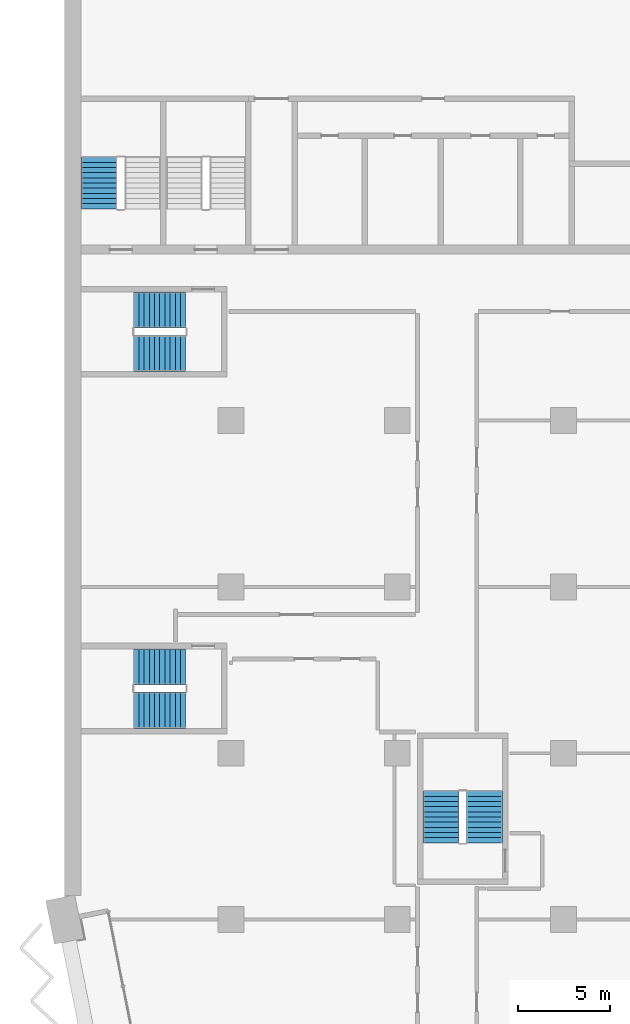
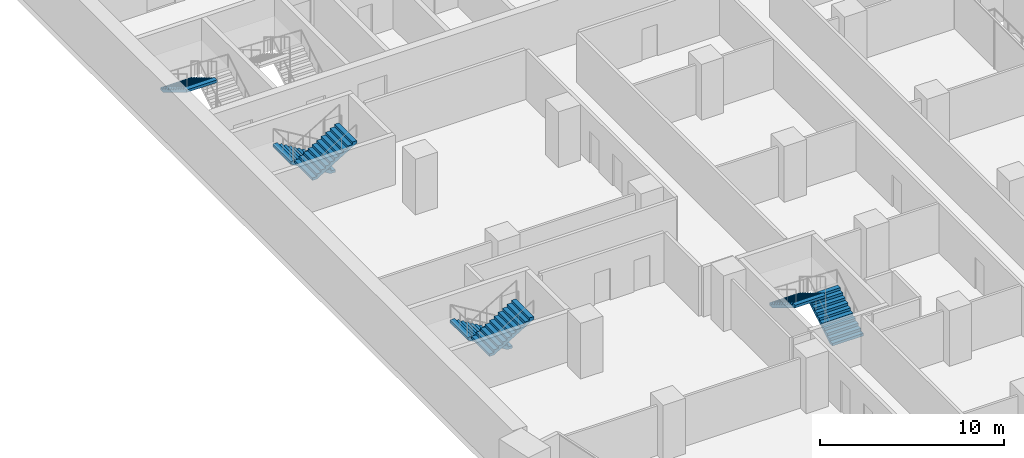
# One storey, part 20 of 29: 7 stair flights, 4 elements without a shape of their own.
"""IFC4 building model written with IfcOpenShell, lengths in metres."""

import ifcopenshell
import ifcopenshell.guid

model = None  # the IFC model being written
_history = None  # IfcOwnerHistory: only IFC2X3 demands one
_inside = {}  # id of a spatial element -> (the spatial element, [elements in it])
_under = {}  # id of a project, library or spatial element -> (it, [spatial elements below it])
_declared = {}  # id of a project -> (the project, [libraries it declares])
_typed = {}  # id of a type object -> (the type object, [elements of that type])
_made_of = {}  # id of a material, layer set ... -> (it, [elements and type objects made of it])


def new_model(schema):
    """Start an empty IFC model of exactly this schema.

    Asked for "IFC4X3", IfcOpenShell would pick the latest addendum, in which some entities
    have other attributes; the version numbers below select the first issue.
    IFC2X3 requires an IfcOwnerHistory on every rooted entity: one is made here for all.
    """
    global model, _history
    if schema == "IFC4X3":
        model = ifcopenshell.file(schema_version=(4, 3, 0, 0))
    else:
        model = ifcopenshell.file(schema=schema)
    _inside.clear()
    _under.clear()
    _declared.clear()
    _typed.clear()
    _made_of.clear()
    _history = None
    if model.schema == "IFC2X3":
        org = make("IfcOrganization", Name="unknown")
        user = make(
            "IfcPersonAndOrganization",
            ThePerson=make("IfcPerson", FamilyName="unknown"),
            TheOrganization=org,
        )
        app = make(
            "IfcApplication",
            ApplicationDeveloper=org,
            Version="unknown",
            ApplicationFullName="unknown",
            ApplicationIdentifier="unknown",
        )
        _history = make(
            "IfcOwnerHistory",
            OwningUser=user,
            OwningApplication=app,
            ChangeAction="ADDED",
            CreationDate=0,
        )
    return model


def make(cls, **values):
    """One entity of the class cls with the attributes given. An attribute that is None is left unset."""
    return model.create_entity(
        cls, **{name: value for name, value in values.items() if value is not None}
    )


def rooted(cls, **values):
    """An entity with a GlobalId (a new one), such as an element, a storey or a relation."""
    return make(cls, GlobalId=ifcopenshell.guid.new(), OwnerHistory=_history, **values)


def si_unit(unit_type, name, prefix=None):
    """IfcSIUnit, for example si_unit("LENGTHUNIT", "METRE", prefix="MILLI")."""
    return make("IfcSIUnit", UnitType=unit_type, Prefix=prefix, Name=name)


def assignment(units):
    """IfcUnitAssignment: the units of a project."""
    return None if units is None else make("IfcUnitAssignment", Units=units)


def point(xyz):
    """IfcCartesianPoint."""
    return None if xyz is None else make("IfcCartesianPoint", Coordinates=xyz)


def direction(xyz):
    """IfcDirection."""
    return None if xyz is None else make("IfcDirection", DirectionRatios=xyz)


def frame(location, z_axis=None, x_axis=None):
    """IfcAxis2Placement3D, a coordinate frame: its origin and axes. An axis left out is left unset."""
    return make(
        "IfcAxis2Placement3D",
        Location=point(location),
        Axis=direction(z_axis),
        RefDirection=direction(x_axis),
    )


def origin():
    """The frame at (0, 0, 0) with its axes left unset."""
    return frame((0.0, 0.0, 0.0))


def place(relative_to, where):
    """IfcLocalPlacement: puts the frame where relative to a parent placement (None: the world)."""
    return make(
        "IfcLocalPlacement", PlacementRelTo=relative_to, RelativePlacement=where
    )


def context(
    kind, dimensions, precision=None, world=None, true_north=None, identifier=None
):
    """IfcGeometricRepresentationContext, for example the 3D "Model" context."""
    return make(
        "IfcGeometricRepresentationContext",
        ContextIdentifier=identifier,
        ContextType=kind,
        CoordinateSpaceDimension=dimensions,
        Precision=precision,
        WorldCoordinateSystem=world,
        TrueNorth=true_north,
    )


def subcontext(parent, identifier, kind, view, scale=None):
    """IfcGeometricRepresentationSubContext, for example "Body" below "Model"."""
    return make(
        "IfcGeometricRepresentationSubContext",
        ContextIdentifier=identifier,
        ContextType=kind,
        ParentContext=parent,
        TargetScale=scale,
        TargetView=view,
    )


def project(units=None, contexts=None):
    """IfcProject with its units and contexts."""
    return rooted(
        "IfcProject",
        Name="project",
        RepresentationContexts=contexts,
        UnitsInContext=assignment(units),
    )


def spatial(cls, under=None, at=None, **own):
    """A site, building, storey or space (cls), placed at a placement, below another one or the project."""
    s = rooted(cls, ObjectPlacement=at, **own)
    if under is not None:
        _under.setdefault(under.id(), (under, []))[1].append(s)
    return s


def polyline(points):
    """IfcPolyline through the points."""
    return make("IfcPolyline", Points=[point(p) for p in points])


def outline(outer, holes=None, kind="AREA"):
    """IfcArbitraryClosedProfileDef: a profile drawn as a closed curve; with holes, ...WithVoids."""
    if holes is None:
        return make("IfcArbitraryClosedProfileDef", ProfileType=kind, OuterCurve=outer)
    return make(
        "IfcArbitraryProfileDefWithVoids",
        ProfileType=kind,
        OuterCurve=outer,
        InnerCurves=holes,
    )


def extrude(swept, where, along, depth):
    """IfcExtrudedAreaSolid: the profile swept, set in the frame where, extruded along a direction by depth."""
    return make(
        "IfcExtrudedAreaSolid",
        SweptArea=swept,
        Position=where,
        ExtrudedDirection=direction(along),
        Depth=depth,
    )


def shape(context_of_items, identifier, shape_type, items):
    """IfcShapeRepresentation: the items that make up one representation, for example the "Body"."""
    return make(
        "IfcShapeRepresentation",
        ContextOfItems=context_of_items,
        RepresentationIdentifier=identifier,
        RepresentationType=shape_type,
        Items=items,
    )


def material(Name=None, Category=None):
    """IfcMaterial."""
    return make("IfcMaterial", Name=Name, Category=Category)


def made_of(thing, what):
    """Note that an element or type object is made of a material, layer set ...; save() writes the relation."""
    if what is not None:
        _made_of.setdefault(what.id(), (what, []))[1].append(thing)
    return thing


def type_object(cls, material=None, **own):
    """A type object (cls), such as IfcWallType, which elements share."""
    return made_of(rooted(cls, **own), material)


def element(
    cls,
    number,
    at=None,
    inside=None,
    cuts=None,
    type_object=None,
    material=None,
    context=None,
    identifier="Body",
    shape_type=None,
    held_by="IfcProductDefinitionShape",
    body=None,
    shapes=None,
    **own,
):
    """One element of the class cls, such as IfcWall. Its Tag is "e" and its number.

    at: its placement. inside: the storey or other place that contains it. cuts: it is an
    opening in that element (IfcRelVoidsElement). A single representation is given by context,
    identifier, shape_type and body (its items); several are given by shapes. held_by: the class
    of the entity that holds the representations. save() writes the other relations.
    """
    e = rooted(cls, Tag="e%d" % number, ObjectPlacement=at, **own)
    if body is not None:
        shapes = [shape(context, identifier, shape_type, body)]
    if shapes is not None:
        e.Representation = make(held_by, Representations=shapes)
    if inside is not None:
        _inside.setdefault(inside.id(), (inside, []))[1].append(e)
    if cuts is not None:
        rooted(
            "IfcRelVoidsElement", RelatingBuildingElement=cuts, RelatedOpeningElement=e
        )
    if type_object is not None:
        _typed.setdefault(type_object.id(), (type_object, []))[1].append(e)
    return made_of(e, material)


def aggregate(whole, parts):
    """IfcRelAggregates: a whole, such as a stair, and the parts it consists of."""
    return rooted("IfcRelAggregates", RelatingObject=whole, RelatedObjects=parts)


def save(model, path):
    """Write the relations noted so far, then the file.

    IfcRelAggregates (storeys below a building ...), IfcRelContainedInSpatialStructure (elements
    in a storey), IfcRelDefinesByType, IfcRelAssociatesMaterial and IfcRelDeclares: one each for
    every whole, place, type object, material and project.
    """
    for whole, parts in _under.values():
        aggregate(whole, parts)
    for where, things in _inside.values():
        rooted(
            "IfcRelContainedInSpatialStructure",
            RelatedElements=things,
            RelatingStructure=where,
        )
    for kind, things in _typed.values():
        rooted("IfcRelDefinesByType", RelatedObjects=things, RelatingType=kind)
    for what, things in _made_of.values():
        rooted("IfcRelAssociatesMaterial", RelatedObjects=things, RelatingMaterial=what)
    for by, libraries in _declared.values():
        rooted("IfcRelDeclares", RelatingContext=by, RelatedDefinitions=libraries)
    model.write(path)


model = new_model("IFC4")

# Units and contexts
model_context = context("Model", 3, precision=1e-05, world=origin(), true_north=direction((0.0, 1.0)))
body_context = subcontext(model_context, "Body", "Model", "MODEL_VIEW")
ifc_project = project(units=[si_unit("LENGTHUNIT", "METRE"), si_unit("AREAUNIT", "SQUARE_METRE"), si_unit("VOLUMEUNIT", "CUBIC_METRE"), si_unit("PLANEANGLEUNIT", "RADIAN"), si_unit("MASSUNIT", "GRAM", prefix="KILO")], contexts=[model_context])

# Site, building, storey
site_placement = place(None, origin())
site = spatial("IfcSite", under=ifc_project, at=site_placement, CompositionType="ELEMENT")
building_placement = place(site_placement, origin())
building = spatial("IfcBuilding", under=site, at=building_placement, Name="Hunhe Ridgeline Campus", CompositionType="ELEMENT")
storey_placement = place(building_placement, frame((0.0, 0.0, 46.89990234375)))
storey = spatial("IfcBuildingStorey", under=building, at=storey_placement, Name="L10", CompositionType="ELEMENT", Elevation=46.89990234375)

# Stair, stair flight
ifc_material = material(Name="Concrete C40", Category="concrete")
stair_type = type_object("IfcStairType", Name="Reinforced concrete dog-leg stair 1950 Concrete C40", PredefinedType="HALF_TURN_STAIR", material=ifc_material)
stair_1_placement = place(storey_placement, origin())
stair_1 = element("IfcStair", 1, at=stair_1_placement, inside=storey, type_object=stair_type, Name="L10 S3", PredefinedType="HALF_TURN_STAIR")
stair_flight_type = type_object("IfcStairFlightType", Name="Reinforced concrete stair flight 1950 Concrete C40", PredefinedType="STRAIGHT", material=ifc_material)
stair_flight_1_placement = place(storey_placement, frame((1.875, 68.25, 1.85009765625), z_axis=(0.0, 0.0, 1.0), x_axis=(0.0, -1.0, 0.0)))
stair_flight_1 = element("IfcStairFlight", 2, at=stair_flight_1_placement, type_object=stair_flight_type, Name="ST3 flight 2", NumberOfRisers=11, NumberOfTreads=10, PredefinedType="STRAIGHT", RiserHeight=0.168181818, TreadLength=0.28, context=body_context, shape_type="SweptSolid", body=[
    extrude(outline(polyline([(0.0, 0.0), (0.0, 0.168212890625), (0.280029296875, 0.168212890625), (0.280029296875, 0.33642578125), (0.56005859375, 0.33642578125), (0.56005859375, 0.504638671875), (0.840087890625, 0.504638671875), (0.840087890625, 0.672607421875), (1.1201171875, 0.672607421875), (1.1201171875, 0.8408203125), (1.39990234375, 0.8408203125), (1.39990234375, 1.009033203125), (1.679931640625, 1.009033203125), (1.679931640625, 1.17724609375), (1.9599609375, 1.17724609375), (1.9599609375, 1.345458984375), (2.239990234375, 1.345458984375), (2.239990234375, 1.513671875), (2.52001953125, 1.513671875), (2.52001953125, 1.681884765625), (2.800048828125, 1.681884765625), (2.800048828125, 1.85009765625), (2.800048828125, 1.5068359375), (0.291015625, 0.0), (0.0, 0.0)])), frame((0.0, 0.97509765625, 0.0), z_axis=(0.0, -1.0, 0.0), x_axis=(1.0, 0.0, 0.0)), (0.0, 0.0, 1.0), 1.949951171875),
    extrude(outline(polyline([(0.030029296875, 0.030029296875), (0.030029296875, 0.13818359375), (0.31005859375, 0.13818359375), (0.31005859375, 0.306396484375), (0.590087890625, 0.306396484375), (0.590087890625, 0.474609375), (0.8701171875, 0.474609375), (0.8701171875, 0.642578125), (1.14990234375, 0.642578125), (1.14990234375, 0.810791015625), (1.429931640625, 0.810791015625), (1.429931640625, 0.97900390625), (1.7099609375, 0.97900390625), (1.7099609375, 1.147216796875), (1.989990234375, 1.147216796875), (1.989990234375, 1.3154296875), (2.27001953125, 1.3154296875), (2.27001953125, 1.483642578125), (2.550048828125, 1.483642578125), (2.550048828125, 1.65185546875), (2.77001953125, 1.65185546875), (2.77001953125, 1.52392578125), (0.28271484375, 0.030029296875), (0.030029296875, 0.030029296875)])), frame((0.0, -0.070068359375, 0.0), z_axis=(0.0, -1.0, 0.0), x_axis=(1.0, 0.0, 0.0)), (0.0, 0.0, 1.0), 0.019775390625),
    extrude(outline(polyline([(0.030029296875, 0.030029296875), (0.030029296875, 0.13818359375), (0.31005859375, 0.13818359375), (0.31005859375, 0.306396484375), (0.590087890625, 0.306396484375), (0.590087890625, 0.474609375), (0.8701171875, 0.474609375), (0.8701171875, 0.642578125), (1.14990234375, 0.642578125), (1.14990234375, 0.810791015625), (1.429931640625, 0.810791015625), (1.429931640625, 0.97900390625), (1.7099609375, 0.97900390625), (1.7099609375, 1.147216796875), (1.989990234375, 1.147216796875), (1.989990234375, 1.3154296875), (2.27001953125, 1.3154296875), (2.27001953125, 1.483642578125), (2.550048828125, 1.483642578125), (2.550048828125, 1.65185546875), (2.77001953125, 1.65185546875), (2.77001953125, 1.52392578125), (0.28271484375, 0.030029296875), (0.030029296875, 0.030029296875)])), frame((0.0, 0.010009765625, 0.0), z_axis=(0.0, -1.0, 0.0), x_axis=(1.0, 0.0, 0.0)), (0.0, 0.0, 1.0), 0.019775390625),
    extrude(outline(polyline([(0.030029296875, 0.030029296875), (0.030029296875, 0.13818359375), (0.31005859375, 0.13818359375), (0.31005859375, 0.306396484375), (0.590087890625, 0.306396484375), (0.590087890625, 0.474609375), (0.8701171875, 0.474609375), (0.8701171875, 0.642578125), (1.14990234375, 0.642578125), (1.14990234375, 0.810791015625), (1.429931640625, 0.810791015625), (1.429931640625, 0.97900390625), (1.7099609375, 0.97900390625), (1.7099609375, 1.147216796875), (1.989990234375, 1.147216796875), (1.989990234375, 1.3154296875), (2.27001953125, 1.3154296875), (2.27001953125, 1.483642578125), (2.550048828125, 1.483642578125), (2.550048828125, 1.65185546875), (2.77001953125, 1.65185546875), (2.77001953125, 1.52392578125), (0.28271484375, 0.030029296875), (0.030029296875, 0.030029296875)])), frame((0.0, 0.090087890625, 0.0), z_axis=(0.0, -1.0, 0.0), x_axis=(1.0, 0.0, 0.0)), (0.0, 0.0, 1.0), 0.019775390625),
])
aggregate(stair_1, [stair_flight_1])

# Stair, stair flights
stair_2_placement = place(storey_placement, origin())
stair_2 = element("IfcStair", 3, at=stair_2_placement, inside=storey, type_object=stair_type, Name="L10 W3", PredefinedType="HALF_TURN_STAIR")
stair_flight_2_placement = place(storey_placement, frame((22.72509765625, 31.14990234375, 0.0), z_axis=(0.0, 0.0, 1.0), x_axis=(0.0, 1.0, 0.0)))
stair_flight_2 = element("IfcStairFlight", 4, at=stair_flight_2_placement, type_object=stair_flight_type, Name="ST9 flight 1", NumberOfRisers=11, NumberOfTreads=10, PredefinedType="STRAIGHT", RiserHeight=0.168181818, TreadLength=0.28, context=body_context, shape_type="SweptSolid", body=[
    extrude(outline(polyline([(0.0, 0.0), (0.0, 0.168212890625), (0.280029296875, 0.168212890625), (0.280029296875, 0.33642578125), (0.56005859375, 0.33642578125), (0.56005859375, 0.504638671875), (0.840087890625, 0.504638671875), (0.840087890625, 0.672607421875), (1.1201171875, 0.672607421875), (1.1201171875, 0.8408203125), (1.39990234375, 0.8408203125), (1.39990234375, 1.009033203125), (1.679931640625, 1.009033203125), (1.679931640625, 1.17724609375), (1.9599609375, 1.17724609375), (1.9599609375, 1.345458984375), (2.239990234375, 1.345458984375), (2.239990234375, 1.513671875), (2.52001953125, 1.513671875), (2.52001953125, 1.681884765625), (2.800048828125, 1.681884765625), (2.800048828125, 1.85009765625), (2.800048828125, 1.5068359375), (0.291015625, 0.0), (0.0, 0.0)])), frame((0.0, 0.97509765625, 0.0), z_axis=(0.0, -1.0, 0.0), x_axis=(1.0, 0.0, 0.0)), (0.0, 0.0, 1.0), 1.949951171875),
    extrude(outline(polyline([(0.030029296875, 0.030029296875), (0.030029296875, 0.13818359375), (0.31005859375, 0.13818359375), (0.31005859375, 0.306396484375), (0.590087890625, 0.306396484375), (0.590087890625, 0.474609375), (0.8701171875, 0.474609375), (0.8701171875, 0.642578125), (1.14990234375, 0.642578125), (1.14990234375, 0.810791015625), (1.429931640625, 0.810791015625), (1.429931640625, 0.97900390625), (1.7099609375, 0.97900390625), (1.7099609375, 1.147216796875), (1.989990234375, 1.147216796875), (1.989990234375, 1.3154296875), (2.27001953125, 1.3154296875), (2.27001953125, 1.483642578125), (2.550048828125, 1.483642578125), (2.550048828125, 1.65185546875), (2.77001953125, 1.65185546875), (2.77001953125, 1.52392578125), (0.28271484375, 0.030029296875), (0.030029296875, 0.030029296875)])), frame((0.0, -0.070068359375, 0.0), z_axis=(0.0, -1.0, 0.0), x_axis=(1.0, 0.0, 0.0)), (0.0, 0.0, 1.0), 0.019775390625),
    extrude(outline(polyline([(0.030029296875, 0.030029296875), (0.030029296875, 0.13818359375), (0.31005859375, 0.13818359375), (0.31005859375, 0.306396484375), (0.590087890625, 0.306396484375), (0.590087890625, 0.474609375), (0.8701171875, 0.474609375), (0.8701171875, 0.642578125), (1.14990234375, 0.642578125), (1.14990234375, 0.810791015625), (1.429931640625, 0.810791015625), (1.429931640625, 0.97900390625), (1.7099609375, 0.97900390625), (1.7099609375, 1.147216796875), (1.989990234375, 1.147216796875), (1.989990234375, 1.3154296875), (2.27001953125, 1.3154296875), (2.27001953125, 1.483642578125), (2.550048828125, 1.483642578125), (2.550048828125, 1.65185546875), (2.77001953125, 1.65185546875), (2.77001953125, 1.52392578125), (0.28271484375, 0.030029296875), (0.030029296875, 0.030029296875)])), frame((0.0, 0.010009765625, 0.0), z_axis=(0.0, -1.0, 0.0), x_axis=(1.0, 0.0, 0.0)), (0.0, 0.0, 1.0), 0.019775390625),
    extrude(outline(polyline([(0.030029296875, 0.030029296875), (0.030029296875, 0.13818359375), (0.31005859375, 0.13818359375), (0.31005859375, 0.306396484375), (0.590087890625, 0.306396484375), (0.590087890625, 0.474609375), (0.8701171875, 0.474609375), (0.8701171875, 0.642578125), (1.14990234375, 0.642578125), (1.14990234375, 0.810791015625), (1.429931640625, 0.810791015625), (1.429931640625, 0.97900390625), (1.7099609375, 0.97900390625), (1.7099609375, 1.147216796875), (1.989990234375, 1.147216796875), (1.989990234375, 1.3154296875), (2.27001953125, 1.3154296875), (2.27001953125, 1.483642578125), (2.550048828125, 1.483642578125), (2.550048828125, 1.65185546875), (2.77001953125, 1.65185546875), (2.77001953125, 1.52392578125), (0.28271484375, 0.030029296875), (0.030029296875, 0.030029296875)])), frame((0.0, 0.090087890625, 0.0), z_axis=(0.0, -1.0, 0.0), x_axis=(1.0, 0.0, 0.0)), (0.0, 0.0, 1.0), 0.019775390625),
])
stair_flight_3_placement = place(storey_placement, frame((20.375, 33.949951171875, 1.85009765625), z_axis=(0.0, 0.0, 1.0), x_axis=(0.0, -1.0, 0.0)))
stair_flight_3 = element("IfcStairFlight", 5, at=stair_flight_3_placement, type_object=stair_flight_type, Name="ST9 flight 2", NumberOfRisers=11, NumberOfTreads=10, PredefinedType="STRAIGHT", RiserHeight=0.168181818, TreadLength=0.28, context=body_context, shape_type="SweptSolid", body=[
    extrude(outline(polyline([(0.0, 0.0), (0.0, 0.168212890625), (0.280029296875, 0.168212890625), (0.280029296875, 0.33642578125), (0.56005859375, 0.33642578125), (0.56005859375, 0.504638671875), (0.840087890625, 0.504638671875), (0.840087890625, 0.672607421875), (1.1201171875, 0.672607421875), (1.1201171875, 0.8408203125), (1.39990234375, 0.8408203125), (1.39990234375, 1.009033203125), (1.679931640625, 1.009033203125), (1.679931640625, 1.17724609375), (1.9599609375, 1.17724609375), (1.9599609375, 1.345458984375), (2.239990234375, 1.345458984375), (2.239990234375, 1.513671875), (2.52001953125, 1.513671875), (2.52001953125, 1.681884765625), (2.800048828125, 1.681884765625), (2.800048828125, 1.85009765625), (2.800048828125, 1.5068359375), (0.291015625, 0.0), (0.0, 0.0)])), frame((0.0, 0.97509765625, 0.0), z_axis=(0.0, -1.0, 0.0), x_axis=(1.0, 0.0, 0.0)), (0.0, 0.0, 1.0), 1.949951171875),
    extrude(outline(polyline([(0.030029296875, 0.030029296875), (0.030029296875, 0.13818359375), (0.31005859375, 0.13818359375), (0.31005859375, 0.306396484375), (0.590087890625, 0.306396484375), (0.590087890625, 0.474609375), (0.8701171875, 0.474609375), (0.8701171875, 0.642578125), (1.14990234375, 0.642578125), (1.14990234375, 0.810791015625), (1.429931640625, 0.810791015625), (1.429931640625, 0.97900390625), (1.7099609375, 0.97900390625), (1.7099609375, 1.147216796875), (1.989990234375, 1.147216796875), (1.989990234375, 1.3154296875), (2.27001953125, 1.3154296875), (2.27001953125, 1.483642578125), (2.550048828125, 1.483642578125), (2.550048828125, 1.65185546875), (2.77001953125, 1.65185546875), (2.77001953125, 1.52392578125), (0.28271484375, 0.030029296875), (0.030029296875, 0.030029296875)])), frame((0.0, -0.070068359375, 0.0), z_axis=(0.0, -1.0, 0.0), x_axis=(1.0, 0.0, 0.0)), (0.0, 0.0, 1.0), 0.019775390625),
    extrude(outline(polyline([(0.030029296875, 0.030029296875), (0.030029296875, 0.13818359375), (0.31005859375, 0.13818359375), (0.31005859375, 0.306396484375), (0.590087890625, 0.306396484375), (0.590087890625, 0.474609375), (0.8701171875, 0.474609375), (0.8701171875, 0.642578125), (1.14990234375, 0.642578125), (1.14990234375, 0.810791015625), (1.429931640625, 0.810791015625), (1.429931640625, 0.97900390625), (1.7099609375, 0.97900390625), (1.7099609375, 1.147216796875), (1.989990234375, 1.147216796875), (1.989990234375, 1.3154296875), (2.27001953125, 1.3154296875), (2.27001953125, 1.483642578125), (2.550048828125, 1.483642578125), (2.550048828125, 1.65185546875), (2.77001953125, 1.65185546875), (2.77001953125, 1.52392578125), (0.28271484375, 0.030029296875), (0.030029296875, 0.030029296875)])), frame((0.0, 0.010009765625, 0.0), z_axis=(0.0, -1.0, 0.0), x_axis=(1.0, 0.0, 0.0)), (0.0, 0.0, 1.0), 0.019775390625),
    extrude(outline(polyline([(0.030029296875, 0.030029296875), (0.030029296875, 0.13818359375), (0.31005859375, 0.13818359375), (0.31005859375, 0.306396484375), (0.590087890625, 0.306396484375), (0.590087890625, 0.474609375), (0.8701171875, 0.474609375), (0.8701171875, 0.642578125), (1.14990234375, 0.642578125), (1.14990234375, 0.810791015625), (1.429931640625, 0.810791015625), (1.429931640625, 0.97900390625), (1.7099609375, 0.97900390625), (1.7099609375, 1.147216796875), (1.989990234375, 1.147216796875), (1.989990234375, 1.3154296875), (2.27001953125, 1.3154296875), (2.27001953125, 1.483642578125), (2.550048828125, 1.483642578125), (2.550048828125, 1.65185546875), (2.77001953125, 1.65185546875), (2.77001953125, 1.52392578125), (0.28271484375, 0.030029296875), (0.030029296875, 0.030029296875)])), frame((0.0, 0.090087890625, 0.0), z_axis=(0.0, -1.0, 0.0), x_axis=(1.0, 0.0, 0.0)), (0.0, 0.0, 1.0), 0.019775390625),
])
aggregate(stair_2, [stair_flight_2, stair_flight_3])

stair_3_placement = place(storey_placement, origin())
stair_3 = element("IfcStair", 6, at=stair_3_placement, inside=storey, type_object=stair_type, Name="L10 W1", PredefinedType="HALF_TURN_STAIR")
stair_flight_4_placement = place(storey_placement, frame((6.550048828125, 40.675048828125, 0.0), z_axis=(0.0, 0.0, 1.0), x_axis=(-1.0, 0.0, 0.0)))
stair_flight_4 = element("IfcStairFlight", 7, at=stair_flight_4_placement, type_object=stair_flight_type, Name="ST11 flight 1", NumberOfRisers=11, NumberOfTreads=10, PredefinedType="STRAIGHT", RiserHeight=0.168181818, TreadLength=0.28, context=body_context, shape_type="SweptSolid", body=[
    extrude(outline(polyline([(0.0, 0.0), (0.0, 0.168212890625), (0.280029296875, 0.168212890625), (0.280029296875, 0.33642578125), (0.56005859375, 0.33642578125), (0.56005859375, 0.504638671875), (0.840087890625, 0.504638671875), (0.840087890625, 0.672607421875), (1.1201171875, 0.672607421875), (1.1201171875, 0.8408203125), (1.39990234375, 0.8408203125), (1.39990234375, 1.009033203125), (1.679931640625, 1.009033203125), (1.679931640625, 1.17724609375), (1.9599609375, 1.17724609375), (1.9599609375, 1.345458984375), (2.239990234375, 1.345458984375), (2.239990234375, 1.513671875), (2.52001953125, 1.513671875), (2.52001953125, 1.681884765625), (2.800048828125, 1.681884765625), (2.800048828125, 1.85009765625), (2.800048828125, 1.5068359375), (0.291015625, 0.0), (0.0, 0.0)])), frame((0.0, 0.97509765625, 0.0), z_axis=(0.0, -1.0, 0.0), x_axis=(1.0, 0.0, 0.0)), (0.0, 0.0, 1.0), 1.949951171875),
    extrude(outline(polyline([(0.030029296875, 0.030029296875), (0.030029296875, 0.13818359375), (0.31005859375, 0.13818359375), (0.31005859375, 0.306396484375), (0.590087890625, 0.306396484375), (0.590087890625, 0.474609375), (0.8701171875, 0.474609375), (0.8701171875, 0.642578125), (1.14990234375, 0.642578125), (1.14990234375, 0.810791015625), (1.429931640625, 0.810791015625), (1.429931640625, 0.97900390625), (1.7099609375, 0.97900390625), (1.7099609375, 1.147216796875), (1.989990234375, 1.147216796875), (1.989990234375, 1.3154296875), (2.27001953125, 1.3154296875), (2.27001953125, 1.483642578125), (2.550048828125, 1.483642578125), (2.550048828125, 1.65185546875), (2.77001953125, 1.65185546875), (2.77001953125, 1.52392578125), (0.28271484375, 0.030029296875), (0.030029296875, 0.030029296875)])), frame((0.0, -0.070068359375, 0.0), z_axis=(0.0, -1.0, 0.0), x_axis=(1.0, 0.0, 0.0)), (0.0, 0.0, 1.0), 0.019775390625),
    extrude(outline(polyline([(0.030029296875, 0.030029296875), (0.030029296875, 0.13818359375), (0.31005859375, 0.13818359375), (0.31005859375, 0.306396484375), (0.590087890625, 0.306396484375), (0.590087890625, 0.474609375), (0.8701171875, 0.474609375), (0.8701171875, 0.642578125), (1.14990234375, 0.642578125), (1.14990234375, 0.810791015625), (1.429931640625, 0.810791015625), (1.429931640625, 0.97900390625), (1.7099609375, 0.97900390625), (1.7099609375, 1.147216796875), (1.989990234375, 1.147216796875), (1.989990234375, 1.3154296875), (2.27001953125, 1.3154296875), (2.27001953125, 1.483642578125), (2.550048828125, 1.483642578125), (2.550048828125, 1.65185546875), (2.77001953125, 1.65185546875), (2.77001953125, 1.52392578125), (0.28271484375, 0.030029296875), (0.030029296875, 0.030029296875)])), frame((0.0, 0.010009765625, 0.0), z_axis=(0.0, -1.0, 0.0), x_axis=(1.0, 0.0, 0.0)), (0.0, 0.0, 1.0), 0.019775390625),
    extrude(outline(polyline([(0.030029296875, 0.030029296875), (0.030029296875, 0.13818359375), (0.31005859375, 0.13818359375), (0.31005859375, 0.306396484375), (0.590087890625, 0.306396484375), (0.590087890625, 0.474609375), (0.8701171875, 0.474609375), (0.8701171875, 0.642578125), (1.14990234375, 0.642578125), (1.14990234375, 0.810791015625), (1.429931640625, 0.810791015625), (1.429931640625, 0.97900390625), (1.7099609375, 0.97900390625), (1.7099609375, 1.147216796875), (1.989990234375, 1.147216796875), (1.989990234375, 1.3154296875), (2.27001953125, 1.3154296875), (2.27001953125, 1.483642578125), (2.550048828125, 1.483642578125), (2.550048828125, 1.65185546875), (2.77001953125, 1.65185546875), (2.77001953125, 1.52392578125), (0.28271484375, 0.030029296875), (0.030029296875, 0.030029296875)])), frame((0.0, 0.090087890625, 0.0), z_axis=(0.0, -1.0, 0.0), x_axis=(1.0, 0.0, 0.0)), (0.0, 0.0, 1.0), 0.019775390625),
])
stair_flight_5_placement = place(storey_placement, frame((3.75, 38.324951171875, 1.85009765625), z_axis=(0.0, 0.0, 1.0), x_axis=(1.0, 0.0, 0.0)))
stair_flight_5 = element("IfcStairFlight", 8, at=stair_flight_5_placement, type_object=stair_flight_type, Name="ST11 flight 2", NumberOfRisers=11, NumberOfTreads=10, PredefinedType="STRAIGHT", RiserHeight=0.168181818, TreadLength=0.28, context=body_context, shape_type="SweptSolid", body=[
    extrude(outline(polyline([(0.0, 0.0), (0.0, 0.168212890625), (0.280029296875, 0.168212890625), (0.280029296875, 0.33642578125), (0.56005859375, 0.33642578125), (0.56005859375, 0.504638671875), (0.840087890625, 0.504638671875), (0.840087890625, 0.672607421875), (1.1201171875, 0.672607421875), (1.1201171875, 0.8408203125), (1.39990234375, 0.8408203125), (1.39990234375, 1.009033203125), (1.679931640625, 1.009033203125), (1.679931640625, 1.17724609375), (1.9599609375, 1.17724609375), (1.9599609375, 1.345458984375), (2.239990234375, 1.345458984375), (2.239990234375, 1.513671875), (2.52001953125, 1.513671875), (2.52001953125, 1.681884765625), (2.800048828125, 1.681884765625), (2.800048828125, 1.85009765625), (2.800048828125, 1.5068359375), (0.291015625, 0.0), (0.0, 0.0)])), frame((0.0, 0.97509765625, 0.0), z_axis=(0.0, -1.0, 0.0), x_axis=(1.0, 0.0, 0.0)), (0.0, 0.0, 1.0), 1.949951171875),
    extrude(outline(polyline([(0.030029296875, 0.030029296875), (0.030029296875, 0.13818359375), (0.31005859375, 0.13818359375), (0.31005859375, 0.306396484375), (0.590087890625, 0.306396484375), (0.590087890625, 0.474609375), (0.8701171875, 0.474609375), (0.8701171875, 0.642578125), (1.14990234375, 0.642578125), (1.14990234375, 0.810791015625), (1.429931640625, 0.810791015625), (1.429931640625, 0.97900390625), (1.7099609375, 0.97900390625), (1.7099609375, 1.147216796875), (1.989990234375, 1.147216796875), (1.989990234375, 1.3154296875), (2.27001953125, 1.3154296875), (2.27001953125, 1.483642578125), (2.550048828125, 1.483642578125), (2.550048828125, 1.65185546875), (2.77001953125, 1.65185546875), (2.77001953125, 1.52392578125), (0.28271484375, 0.030029296875), (0.030029296875, 0.030029296875)])), frame((0.0, -0.070068359375, 0.0), z_axis=(0.0, -1.0, 0.0), x_axis=(1.0, 0.0, 0.0)), (0.0, 0.0, 1.0), 0.019775390625),
    extrude(outline(polyline([(0.030029296875, 0.030029296875), (0.030029296875, 0.13818359375), (0.31005859375, 0.13818359375), (0.31005859375, 0.306396484375), (0.590087890625, 0.306396484375), (0.590087890625, 0.474609375), (0.8701171875, 0.474609375), (0.8701171875, 0.642578125), (1.14990234375, 0.642578125), (1.14990234375, 0.810791015625), (1.429931640625, 0.810791015625), (1.429931640625, 0.97900390625), (1.7099609375, 0.97900390625), (1.7099609375, 1.147216796875), (1.989990234375, 1.147216796875), (1.989990234375, 1.3154296875), (2.27001953125, 1.3154296875), (2.27001953125, 1.483642578125), (2.550048828125, 1.483642578125), (2.550048828125, 1.65185546875), (2.77001953125, 1.65185546875), (2.77001953125, 1.52392578125), (0.28271484375, 0.030029296875), (0.030029296875, 0.030029296875)])), frame((0.0, 0.010009765625, 0.0), z_axis=(0.0, -1.0, 0.0), x_axis=(1.0, 0.0, 0.0)), (0.0, 0.0, 1.0), 0.019775390625),
    extrude(outline(polyline([(0.030029296875, 0.030029296875), (0.030029296875, 0.13818359375), (0.31005859375, 0.13818359375), (0.31005859375, 0.306396484375), (0.590087890625, 0.306396484375), (0.590087890625, 0.474609375), (0.8701171875, 0.474609375), (0.8701171875, 0.642578125), (1.14990234375, 0.642578125), (1.14990234375, 0.810791015625), (1.429931640625, 0.810791015625), (1.429931640625, 0.97900390625), (1.7099609375, 0.97900390625), (1.7099609375, 1.147216796875), (1.989990234375, 1.147216796875), (1.989990234375, 1.3154296875), (2.27001953125, 1.3154296875), (2.27001953125, 1.483642578125), (2.550048828125, 1.483642578125), (2.550048828125, 1.65185546875), (2.77001953125, 1.65185546875), (2.77001953125, 1.52392578125), (0.28271484375, 0.030029296875), (0.030029296875, 0.030029296875)])), frame((0.0, 0.090087890625, 0.0), z_axis=(0.0, -1.0, 0.0), x_axis=(1.0, 0.0, 0.0)), (0.0, 0.0, 1.0), 0.019775390625),
])
aggregate(stair_3, [stair_flight_4, stair_flight_5])

stair_4_placement = place(storey_placement, origin())
stair_4 = element("IfcStair", 9, at=stair_4_placement, inside=storey, type_object=stair_type, Name="L10 W2", PredefinedType="HALF_TURN_STAIR")
stair_flight_6_placement = place(storey_placement, frame((6.550048828125, 59.97509765625, 0.0), z_axis=(0.0, 0.0, 1.0), x_axis=(-1.0, 0.0, 0.0)))
stair_flight_6 = element("IfcStairFlight", 10, at=stair_flight_6_placement, type_object=stair_flight_type, Name="ST12 flight 1", NumberOfRisers=11, NumberOfTreads=10, PredefinedType="STRAIGHT", RiserHeight=0.168181818, TreadLength=0.28, context=body_context, shape_type="SweptSolid", body=[
    extrude(outline(polyline([(0.0, 0.0), (0.0, 0.168212890625), (0.280029296875, 0.168212890625), (0.280029296875, 0.33642578125), (0.56005859375, 0.33642578125), (0.56005859375, 0.504638671875), (0.840087890625, 0.504638671875), (0.840087890625, 0.672607421875), (1.1201171875, 0.672607421875), (1.1201171875, 0.8408203125), (1.39990234375, 0.8408203125), (1.39990234375, 1.009033203125), (1.679931640625, 1.009033203125), (1.679931640625, 1.17724609375), (1.9599609375, 1.17724609375), (1.9599609375, 1.345458984375), (2.239990234375, 1.345458984375), (2.239990234375, 1.513671875), (2.52001953125, 1.513671875), (2.52001953125, 1.681884765625), (2.800048828125, 1.681884765625), (2.800048828125, 1.85009765625), (2.800048828125, 1.5068359375), (0.291015625, 0.0), (0.0, 0.0)])), frame((0.0, 0.97509765625, 0.0), z_axis=(0.0, -1.0, 0.0), x_axis=(1.0, 0.0, 0.0)), (0.0, 0.0, 1.0), 1.949951171875),
    extrude(outline(polyline([(0.030029296875, 0.030029296875), (0.030029296875, 0.13818359375), (0.31005859375, 0.13818359375), (0.31005859375, 0.306396484375), (0.590087890625, 0.306396484375), (0.590087890625, 0.474609375), (0.8701171875, 0.474609375), (0.8701171875, 0.642578125), (1.14990234375, 0.642578125), (1.14990234375, 0.810791015625), (1.429931640625, 0.810791015625), (1.429931640625, 0.97900390625), (1.7099609375, 0.97900390625), (1.7099609375, 1.147216796875), (1.989990234375, 1.147216796875), (1.989990234375, 1.3154296875), (2.27001953125, 1.3154296875), (2.27001953125, 1.483642578125), (2.550048828125, 1.483642578125), (2.550048828125, 1.65185546875), (2.77001953125, 1.65185546875), (2.77001953125, 1.52392578125), (0.28271484375, 0.030029296875), (0.030029296875, 0.030029296875)])), frame((0.0, -0.070068359375, 0.0), z_axis=(0.0, -1.0, 0.0), x_axis=(1.0, 0.0, 0.0)), (0.0, 0.0, 1.0), 0.019775390625),
    extrude(outline(polyline([(0.030029296875, 0.030029296875), (0.030029296875, 0.13818359375), (0.31005859375, 0.13818359375), (0.31005859375, 0.306396484375), (0.590087890625, 0.306396484375), (0.590087890625, 0.474609375), (0.8701171875, 0.474609375), (0.8701171875, 0.642578125), (1.14990234375, 0.642578125), (1.14990234375, 0.810791015625), (1.429931640625, 0.810791015625), (1.429931640625, 0.97900390625), (1.7099609375, 0.97900390625), (1.7099609375, 1.147216796875), (1.989990234375, 1.147216796875), (1.989990234375, 1.3154296875), (2.27001953125, 1.3154296875), (2.27001953125, 1.483642578125), (2.550048828125, 1.483642578125), (2.550048828125, 1.65185546875), (2.77001953125, 1.65185546875), (2.77001953125, 1.52392578125), (0.28271484375, 0.030029296875), (0.030029296875, 0.030029296875)])), frame((0.0, 0.010009765625, 0.0), z_axis=(0.0, -1.0, 0.0), x_axis=(1.0, 0.0, 0.0)), (0.0, 0.0, 1.0), 0.019775390625),
    extrude(outline(polyline([(0.030029296875, 0.030029296875), (0.030029296875, 0.13818359375), (0.31005859375, 0.13818359375), (0.31005859375, 0.306396484375), (0.590087890625, 0.306396484375), (0.590087890625, 0.474609375), (0.8701171875, 0.474609375), (0.8701171875, 0.642578125), (1.14990234375, 0.642578125), (1.14990234375, 0.810791015625), (1.429931640625, 0.810791015625), (1.429931640625, 0.97900390625), (1.7099609375, 0.97900390625), (1.7099609375, 1.147216796875), (1.989990234375, 1.147216796875), (1.989990234375, 1.3154296875), (2.27001953125, 1.3154296875), (2.27001953125, 1.483642578125), (2.550048828125, 1.483642578125), (2.550048828125, 1.65185546875), (2.77001953125, 1.65185546875), (2.77001953125, 1.52392578125), (0.28271484375, 0.030029296875), (0.030029296875, 0.030029296875)])), frame((0.0, 0.090087890625, 0.0), z_axis=(0.0, -1.0, 0.0), x_axis=(1.0, 0.0, 0.0)), (0.0, 0.0, 1.0), 0.019775390625),
])
stair_flight_7_placement = place(storey_placement, frame((3.75, 57.625, 1.85009765625), z_axis=(0.0, 0.0, 1.0), x_axis=(1.0, 0.0, 0.0)))
stair_flight_7 = element("IfcStairFlight", 11, at=stair_flight_7_placement, type_object=stair_flight_type, Name="ST12 flight 2", NumberOfRisers=11, NumberOfTreads=10, PredefinedType="STRAIGHT", RiserHeight=0.168181818, TreadLength=0.28, context=body_context, shape_type="SweptSolid", body=[
    extrude(outline(polyline([(0.0, 0.0), (0.0, 0.168212890625), (0.280029296875, 0.168212890625), (0.280029296875, 0.33642578125), (0.56005859375, 0.33642578125), (0.56005859375, 0.504638671875), (0.840087890625, 0.504638671875), (0.840087890625, 0.672607421875), (1.1201171875, 0.672607421875), (1.1201171875, 0.8408203125), (1.39990234375, 0.8408203125), (1.39990234375, 1.009033203125), (1.679931640625, 1.009033203125), (1.679931640625, 1.17724609375), (1.9599609375, 1.17724609375), (1.9599609375, 1.345458984375), (2.239990234375, 1.345458984375), (2.239990234375, 1.513671875), (2.52001953125, 1.513671875), (2.52001953125, 1.681884765625), (2.800048828125, 1.681884765625), (2.800048828125, 1.85009765625), (2.800048828125, 1.5068359375), (0.291015625, 0.0), (0.0, 0.0)])), frame((0.0, 0.97509765625, 0.0), z_axis=(0.0, -1.0, 0.0), x_axis=(1.0, 0.0, 0.0)), (0.0, 0.0, 1.0), 1.949951171875),
    extrude(outline(polyline([(0.030029296875, 0.030029296875), (0.030029296875, 0.13818359375), (0.31005859375, 0.13818359375), (0.31005859375, 0.306396484375), (0.590087890625, 0.306396484375), (0.590087890625, 0.474609375), (0.8701171875, 0.474609375), (0.8701171875, 0.642578125), (1.14990234375, 0.642578125), (1.14990234375, 0.810791015625), (1.429931640625, 0.810791015625), (1.429931640625, 0.97900390625), (1.7099609375, 0.97900390625), (1.7099609375, 1.147216796875), (1.989990234375, 1.147216796875), (1.989990234375, 1.3154296875), (2.27001953125, 1.3154296875), (2.27001953125, 1.483642578125), (2.550048828125, 1.483642578125), (2.550048828125, 1.65185546875), (2.77001953125, 1.65185546875), (2.77001953125, 1.52392578125), (0.28271484375, 0.030029296875), (0.030029296875, 0.030029296875)])), frame((0.0, -0.070068359375, 0.0), z_axis=(0.0, -1.0, 0.0), x_axis=(1.0, 0.0, 0.0)), (0.0, 0.0, 1.0), 0.019775390625),
    extrude(outline(polyline([(0.030029296875, 0.030029296875), (0.030029296875, 0.13818359375), (0.31005859375, 0.13818359375), (0.31005859375, 0.306396484375), (0.590087890625, 0.306396484375), (0.590087890625, 0.474609375), (0.8701171875, 0.474609375), (0.8701171875, 0.642578125), (1.14990234375, 0.642578125), (1.14990234375, 0.810791015625), (1.429931640625, 0.810791015625), (1.429931640625, 0.97900390625), (1.7099609375, 0.97900390625), (1.7099609375, 1.147216796875), (1.989990234375, 1.147216796875), (1.989990234375, 1.3154296875), (2.27001953125, 1.3154296875), (2.27001953125, 1.483642578125), (2.550048828125, 1.483642578125), (2.550048828125, 1.65185546875), (2.77001953125, 1.65185546875), (2.77001953125, 1.52392578125), (0.28271484375, 0.030029296875), (0.030029296875, 0.030029296875)])), frame((0.0, 0.010009765625, 0.0), z_axis=(0.0, -1.0, 0.0), x_axis=(1.0, 0.0, 0.0)), (0.0, 0.0, 1.0), 0.019775390625),
    extrude(outline(polyline([(0.030029296875, 0.030029296875), (0.030029296875, 0.13818359375), (0.31005859375, 0.13818359375), (0.31005859375, 0.306396484375), (0.590087890625, 0.306396484375), (0.590087890625, 0.474609375), (0.8701171875, 0.474609375), (0.8701171875, 0.642578125), (1.14990234375, 0.642578125), (1.14990234375, 0.810791015625), (1.429931640625, 0.810791015625), (1.429931640625, 0.97900390625), (1.7099609375, 0.97900390625), (1.7099609375, 1.147216796875), (1.989990234375, 1.147216796875), (1.989990234375, 1.3154296875), (2.27001953125, 1.3154296875), (2.27001953125, 1.483642578125), (2.550048828125, 1.483642578125), (2.550048828125, 1.65185546875), (2.77001953125, 1.65185546875), (2.77001953125, 1.52392578125), (0.28271484375, 0.030029296875), (0.030029296875, 0.030029296875)])), frame((0.0, 0.090087890625, 0.0), z_axis=(0.0, -1.0, 0.0), x_axis=(1.0, 0.0, 0.0)), (0.0, 0.0, 1.0), 0.019775390625),
])
aggregate(stair_4, [stair_flight_6, stair_flight_7])

save(model, "model.ifc")
